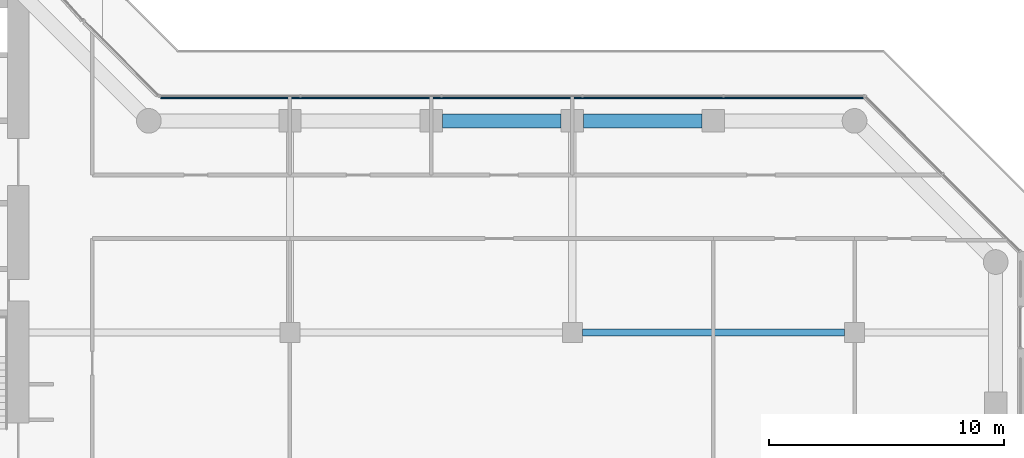
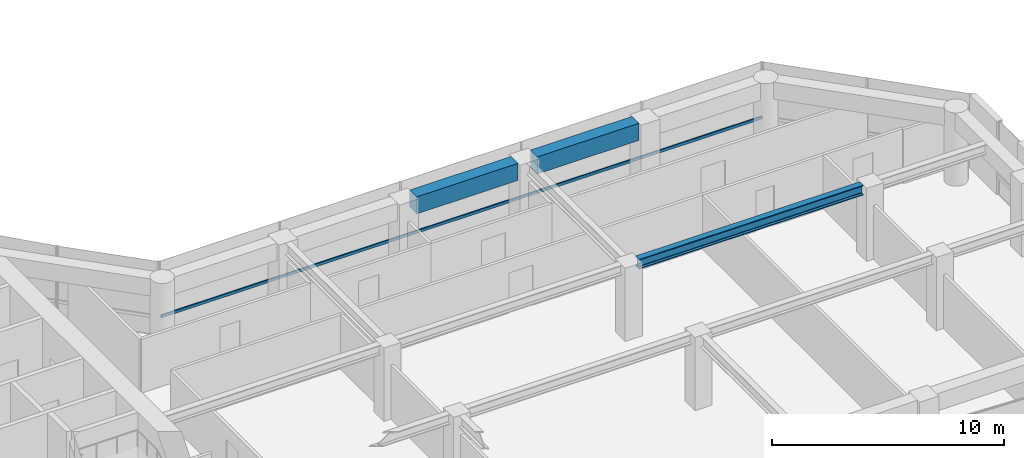
# One storey, part 10 of 29: 3 beams, 1 member, 1 element without a shape of its own.
"""IFC4 building model written with IfcOpenShell, lengths in metres."""

from ifc_helpers import new_model, si_unit, direction, frame, origin, origin_2d, place, context, subcontext, project, spatial, rectangle, i_section, extrude, material, layer, layer_set, material_profile, profile_set, type_object, element, aggregate, save


model = new_model("IFC4")

# Units and contexts
model_context = context("Model", 3, precision=1e-05, world=origin(), true_north=direction((0.0, 1.0)))
body_context = subcontext(model_context, "Body", "Model", "MODEL_VIEW")
ifc_project = project(units=[si_unit("LENGTHUNIT", "METRE"), si_unit("AREAUNIT", "SQUARE_METRE"), si_unit("VOLUMEUNIT", "CUBIC_METRE"), si_unit("PLANEANGLEUNIT", "RADIAN"), si_unit("MASSUNIT", "GRAM", prefix="KILO")], contexts=[model_context])

# Site, building, storey
site_placement = place(None, origin())
site = spatial("IfcSite", under=ifc_project, at=site_placement, CompositionType="ELEMENT")
building_placement = place(site_placement, origin())
building = spatial("IfcBuilding", under=site, at=building_placement, Name="Welwitschia Terrace Campus", CompositionType="ELEMENT")
storey_placement = place(building_placement, frame((0.0, 0.0, 41.60009765625)))
storey = spatial("IfcBuildingStorey", under=building, at=storey_placement, Name="L09", CompositionType="ELEMENT", Elevation=41.60009765625)

# Beams
ifc_material_1 = material(Name="Steel S355", Category="steel")
ifc_material_profile_1 = material_profile(ifc_material_1, i_section(OverallWidth=0.305908203125, OverallDepth=0.52392578125, WebThickness=0.02099609375, FlangeThickness=0.0400390625, FilletRadius=0.027099609375, at=origin_2d()))
ifc_profile_set_1 = profile_set([ifc_material_profile_1], Name="Steel S355")
beam_type_1 = type_object("IfcBeamType", Name="Interior girder HE 500 M", PredefinedType="BEAM", material=ifc_profile_set_1)
beam_placement = place(storey_placement, frame((48.425537109375, 11.0, 3.587890625), z_axis=(1.0, 0.0, 0.0), x_axis=(0.0, 1.0, 0.0)))
element("IfcBeam", 1, at=beam_placement, inside=storey, type_object=beam_type_1, Name="Girder GB2", PredefinedType="BEAM", context=body_context, shape_type="SweptSolid", body=[
    extrude(i_section(OverallWidth=0.305908203125, OverallDepth=0.52392578125, WebThickness=0.02099609375, FlangeThickness=0.0400390625, FilletRadius=0.027099609375, at=origin_2d()), origin(), (0.0, 0.0, 1.0), 11.14892578125),
])
ifc_material_2 = material(Name="Concrete C60/75", Category="concrete")
ifc_material_profile_2 = material_profile(ifc_material_2, rectangle(XDim=0.60009765625, YDim=0.89990234375, at=origin_2d()))
ifc_profile_set_2 = profile_set([ifc_material_profile_2], Name="Concrete C60/75")
beam_type_2 = type_object("IfcBeamType", Name="Ring spandrel 600x900", PredefinedType="SPANDREL", material=ifc_profile_set_2)
for number, where, z_axis, x_axis, name in (
    (2, (53.5244140625, 20.0, 3.39990234375), (-1.0, 0.0, 0.0), (0.0, -1.0, 0.0), "Spandrel SP2"),
    (3, (47.5244140625, 20.0, 3.39990234375), (-1.0, 0.0, 0.0), (0.0, -1.0, 0.0), "Spandrel SP2"),
):
    element("IfcBeam", number, at=place(storey_placement, frame(where, z_axis=z_axis, x_axis=x_axis)), inside=storey, type_object=beam_type_2, Name=name, PredefinedType="SPANDREL", context=body_context, shape_type="SweptSolid", body=[
        extrude(rectangle(XDim=0.60009765625, YDim=0.89990234375, at=origin_2d()), origin(), (0.0, 0.0, 1.0), 5.048828125),
    ])

# Curtain wall, member
ifc_material_3 = material(Name="Bronze anodised aluminium", Category="aluminium")
ifc_layer = layer(ifc_material_3, 0.1201171875)
ifc_layer_set = layer_set([ifc_layer], Name="Bronze anodised aluminium")
curtain_wall_type = type_object("IfcCurtainWallType", Name="Curtain wall CW2 tower 6000", PredefinedType="NOTDEFINED", material=ifc_layer_set)
curtain_wall_placement = place(storey_placement, origin())
curtain_wall = element("IfcCurtainWall", 4, at=curtain_wall_placement, inside=storey, type_object=curtain_wall_type, Name="CW L09.8.0", PredefinedType="NOTDEFINED")
ifc_material_4 = material(Name="Bronze anodised aluminium", Category="aluminium")
ifc_material_profile_3 = material_profile(ifc_material_4, rectangle(XDim=0.06005859375, YDim=0.14990234375, at=origin_2d()))
ifc_profile_set_3 = profile_set([ifc_material_profile_3], Name="Bronze anodised aluminium")
member_type = type_object("IfcMemberType", Name="Transom 60x150", PredefinedType="USERDEFINED", material=ifc_profile_set_3)
member_placement = place(storey_placement, frame((60.378173828125, 20.968017578125, 1.0), z_axis=(-1.0, 0.0, 0.0), x_axis=(0.0, -1.0, 0.0)))
member = element("IfcMember", 5, at=member_placement, type_object=member_type, Name="Transom L09.8.0", ObjectType="TRANSOM", PredefinedType="USERDEFINED", context=body_context, shape_type="SweptSolid", body=[
    extrude(rectangle(XDim=0.06005859375, YDim=0.14990234375, at=origin_2d()), origin(), (0.0, 0.0, 1.0), 29.8798828125),
])
aggregate(curtain_wall, [member])

save(model, "model.ifc")
